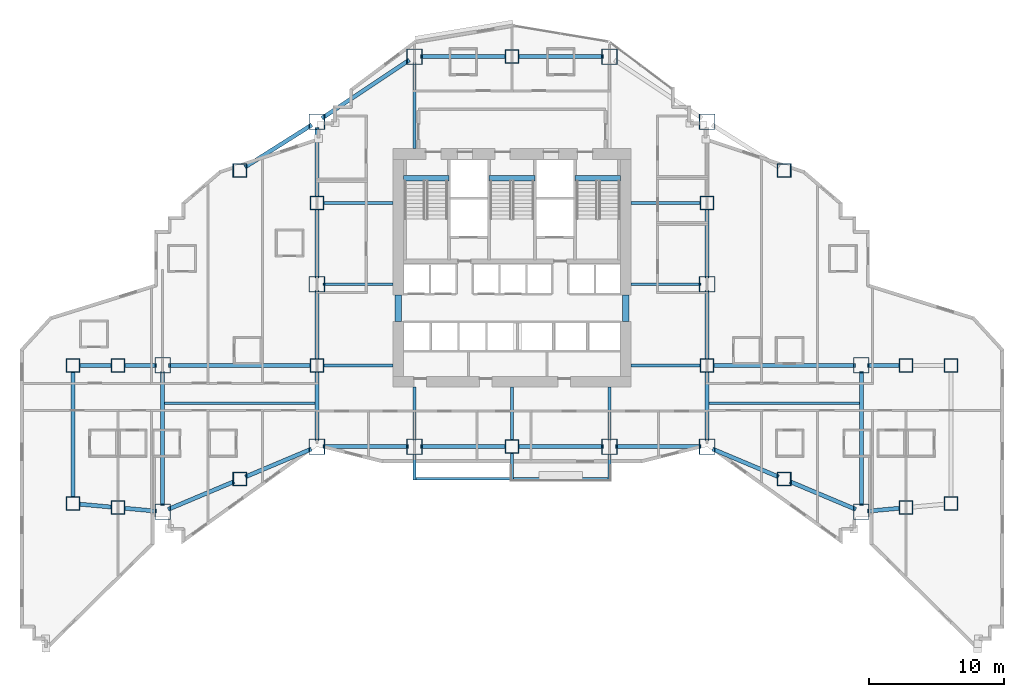
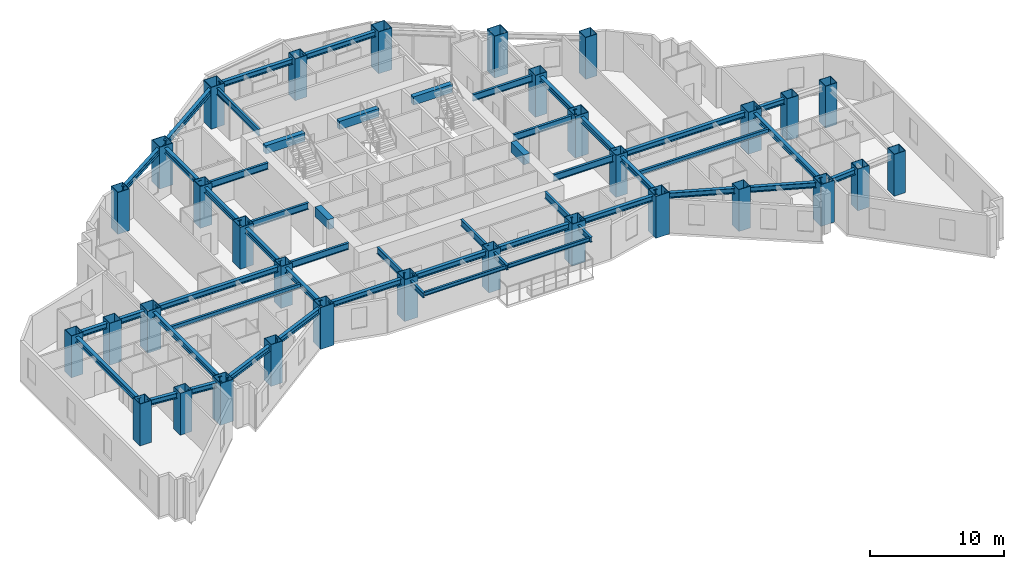
# One storey, part 1 of 16: 52 beams, 32 columns.
"""IFC4 building model written with IfcOpenShell, lengths in metres."""

from ifc_helpers import new_model, si_unit, direction, frame, origin, origin_2d, place, context, subcontext, project, spatial, rectangle, hollow_rectangle, i_section, extrude, material, material_profile, profile_set, type_object, element, save


model = new_model("IFC4")

# Units and contexts
model_context = context("Model", 3, precision=1e-05, world=origin(), true_north=direction((0.0, 1.0)))
body_context = subcontext(model_context, "Body", "Model", "MODEL_VIEW")
ifc_project = project(units=[si_unit("LENGTHUNIT", "METRE"), si_unit("AREAUNIT", "SQUARE_METRE"), si_unit("VOLUMEUNIT", "CUBIC_METRE"), si_unit("PLANEANGLEUNIT", "RADIAN"), si_unit("MASSUNIT", "GRAM", prefix="KILO")], contexts=[model_context])

# Site, building, storey
site_placement = place(None, origin())
site = spatial("IfcSite", under=ifc_project, at=site_placement, CompositionType="ELEMENT")
building_placement = place(site_placement, origin())
building = spatial("IfcBuilding", under=site, at=building_placement, Name="Haolan Belvedere Tower", CompositionType="ELEMENT")
storey_placement = place(building_placement, frame((0.0, 0.0, 47.60009765625)))
storey = spatial("IfcBuildingStorey", under=building, at=storey_placement, Name="L11", CompositionType="ELEMENT", Elevation=47.60009765625)

# Columns
ifc_material_1 = material(Name="Steel Q420GJC", Category="steel")
ifc_material_profile_1 = material_profile(ifc_material_1, hollow_rectangle(XDim=1.0, YDim=1.0, WallThickness=0.0380859375, at=origin_2d()), Name="Steel Q420GJC")
ifc_profile_set_1 = profile_set([ifc_material_profile_1], Name="Steel Q420GJC")
column_type_1 = type_object("IfcColumnType", Name="COL-BOX1000x1000x38", PredefinedType="COLUMN", material=ifc_profile_set_1)
for number, where, z_axis, x_axis, name in (
    (1, (6.0, 17.39990234375, 0.0), (0.0, 0.0, 1.0), (1.0, 0.0, 0.0), "L11 column MC-T1-SW (BOX1000x1000x38)"),
    (2, (6.0, 27.60009765625, 0.0), (0.0, 0.0, 1.0), (1.0, 0.0, 0.0), "L11 column MC-T1-NW (BOX1000x1000x38)"),
    (3, (70.800048828125, 17.39990234375, 0.0), (0.0, 0.0, 1.0), (1.0, 0.0, 0.0), "L11 column MC-T5-SE (BOX1000x1000x38)"),
    (4, (70.800048828125, 27.60009765625, 0.0), (0.0, 0.0, 1.0), (1.0, 0.0, 0.0), "L11 column MC-T5-NE (BOX1000x1000x38)"),
    (5, (24.0, 27.60009765625, 0.0), (0.0, 0.0, 1.0), (1.0, 0.0, 0.0), "L11 column TC-T3-W1 (BOX1000x1000x38)"),
    (6, (24.0, 39.60009765625, 0.0), (0.0, 0.0, 1.0), (1.0, 0.0, 0.0), "L11 column TC-T3-W2 (BOX1000x1000x38)"),
    (7, (52.800048828125, 27.60009765625, 0.0), (0.0, 0.0, 1.0), (1.0, 0.0, 0.0), "L11 column TC-T3-E1 (BOX1000x1000x38)"),
    (8, (52.800048828125, 39.60009765625, 0.0), (0.0, 0.0, 1.0), (1.0, 0.0, 0.0), "L11 column TC-T3-E2 (BOX1000x1000x38)"),
    (9, (38.39990234375, 21.60009765625, 0.0), (0.0, 0.0, 1.0), (1.0, 0.0, 0.0), "L11 column TC-T3-SM (BOX1000x1000x38)"),
    (10, (38.39990234375, 50.39990234375, 0.0), (0.0, 0.0, 1.0), (1.0, 0.0, 0.0), "L11 column TC-T3-NM (BOX1000x1000x38)"),
    (11, (18.300048828125, 19.199951171875, 0.0), (0.0, 0.0, 1.0), (1.0, 0.0, 0.0), "L11 column TC-T2-S1 (BOX1000x1000x38)"),
    (12, (18.300048828125, 42.0, 0.0), (0.0, 0.0, 1.0), (1.0, 0.0, 0.0), "L11 column TC-T2-N1 (BOX1000x1000x38)"),
    (13, (58.5, 19.199951171875, 0.0), (0.0, 0.0, 1.0), (1.0, 0.0, 0.0), "L11 column TC-T4-S1 (BOX1000x1000x38)"),
    (14, (58.5, 42.0, 0.0), (0.0, 0.0, 1.0), (1.0, 0.0, 0.0), "L11 column TC-T4-N1 (BOX1000x1000x38)"),
    (15, (9.300048828125, 17.10009765625, 0.0), (0.0, 0.0, 1.0), (1.0, 0.0, 0.0), "L11 column TC-T1-M1 (BOX1000x1000x38)"),
    (16, (9.300048828125, 27.60009765625, 0.0), (0.0, 0.0, 1.0), (1.0, 0.0, 0.0), "L11 column TC-T1-M2 (BOX1000x1000x38)"),
    (17, (67.5, 17.10009765625, 0.0), (0.0, 0.0, 1.0), (1.0, 0.0, 0.0), "L11 column TC-T5-M1 (BOX1000x1000x38)"),
    (18, (67.5, 27.60009765625, 0.0), (0.0, 0.0, 1.0), (1.0, 0.0, 0.0), "L11 column TC-T5-M2 (BOX1000x1000x38)"),
):
    element("IfcColumn", number, at=place(storey_placement, frame(where, z_axis=z_axis, x_axis=x_axis)), inside=storey, type_object=column_type_1, Name=name, PredefinedType="COLUMN", context=body_context, shape_type="SweptSolid", body=[
        extrude(hollow_rectangle(XDim=1.0, YDim=1.0, WallThickness=0.0380859375, at=origin_2d()), origin(), (0.0, 0.0, 1.0), 3.7998046875),
    ])
ifc_material_2 = material(Name="Steel Q355B", Category="steel")
ifc_material_profile_2 = material_profile(ifc_material_2, hollow_rectangle(XDim=1.14990234375, YDim=1.14990234375, WallThickness=0.0419921875, at=origin_2d()), Name="Steel Q355B")
ifc_profile_set_2 = profile_set([ifc_material_profile_2], Name="Steel Q355B")
column_type_2 = type_object("IfcColumnType", Name="COL-BOX1150x1150x42", PredefinedType="COLUMN", material=ifc_profile_set_2)
for number, where, z_axis, x_axis, name in (
    (19, (24.0, 21.60009765625, 0.0), (0.0, 0.0, 1.0), (1.0, 0.0, 0.0), "L11 column MC-T3-SW (BOX1150x1150x42)"),
    (20, (24.0, 33.60009765625, 0.0), (0.0, 0.0, 1.0), (1.0, 0.0, 0.0), "L11 column MC-T3-MW (BOX1150x1150x42)"),
    (21, (24.0, 45.60009765625, 0.0), (0.0, 0.0, 1.0), (1.0, 0.0, 0.0), "L11 column MC-T3-NW (BOX1150x1150x42)"),
    (22, (52.800048828125, 21.60009765625, 0.0), (0.0, 0.0, 1.0), (1.0, 0.0, 0.0), "L11 column MC-T3-SE (BOX1150x1150x42)"),
    (23, (52.800048828125, 33.60009765625, 0.0), (0.0, 0.0, 1.0), (1.0, 0.0, 0.0), "L11 column MC-T3-ME (BOX1150x1150x42)"),
    (24, (52.800048828125, 45.60009765625, 0.0), (0.0, 0.0, 1.0), (1.0, 0.0, 0.0), "L11 column MC-T3-NE (BOX1150x1150x42)"),
    (25, (31.199951171875, 21.60009765625, 0.0), (0.0, 0.0, 1.0), (1.0, 0.0, 0.0), "L11 column MC-T3-S1 (BOX1150x1150x42)"),
    (26, (45.60009765625, 21.60009765625, 0.0), (0.0, 0.0, 1.0), (1.0, 0.0, 0.0), "L11 column MC-T3-S2 (BOX1150x1150x42)"),
    (27, (31.199951171875, 50.39990234375, 0.0), (0.0, 0.0, 1.0), (1.0, 0.0, 0.0), "L11 column MC-T3-N1 (BOX1150x1150x42)"),
    (28, (45.60009765625, 50.39990234375, 0.0), (0.0, 0.0, 1.0), (1.0, 0.0, 0.0), "L11 column MC-T3-N2 (BOX1150x1150x42)"),
    (29, (12.60009765625, 16.800048828125, 0.0), (0.0, 0.0, 1.0), (1.0, 0.0, 0.0), "L11 column MC-T2-SW (BOX1150x1150x42)"),
    (30, (12.60009765625, 27.60009765625, 0.0), (0.0, 0.0, 1.0), (1.0, 0.0, 0.0), "L11 column MC-T2-MW (BOX1150x1150x42)"),
    (31, (64.199951171875, 16.800048828125, 0.0), (0.0, 0.0, 1.0), (1.0, 0.0, 0.0), "L11 column MC-T4-SE (BOX1150x1150x42)"),
    (32, (64.199951171875, 27.60009765625, 0.0), (0.0, 0.0, 1.0), (1.0, 0.0, 0.0), "L11 column MC-T4-ME (BOX1150x1150x42)"),
):
    element("IfcColumn", number, at=place(storey_placement, frame(where, z_axis=z_axis, x_axis=x_axis)), inside=storey, type_object=column_type_2, Name=name, PredefinedType="COLUMN", context=body_context, shape_type="SweptSolid", body=[
        extrude(hollow_rectangle(XDim=1.14990234375, YDim=1.14990234375, WallThickness=0.0419921875, at=origin_2d()), origin(), (0.0, 0.0, 1.0), 3.7998046875),
    ])

# Beams
ifc_material_profile_3 = material_profile(ifc_material_2, i_section(OverallWidth=0.300048828125, OverallDepth=0.488037109375, WebThickness=0.010986328125, FlangeThickness=0.01806640625, FilletRadius=0.02587890625, at=origin_2d()), Name="Steel Q355B")
ifc_profile_set_3 = profile_set([ifc_material_profile_3], Name="Steel Q355B")
beam_type_1 = type_object("IfcBeamType", Name="BM-HM488x300x11x18", PredefinedType="SPANDREL", material=ifc_profile_set_3)
for number, where, z_axis, x_axis, name in (
    (33, (24.0, 22.050048828125, 3.35595703125), (0.0, 1.0, 0.0), (-1.0, 0.0, 0.0), "L11 spandrel girder MC-T3-SW-TC-T3-W1"),
    (34, (24.0, 28.050048828125, 3.35595703125), (0.0, 1.0, 0.0), (-1.0, 0.0, 0.0), "L11 spandrel girder TC-T3-W1-MC-T3-MW"),
    (35, (24.0, 34.050048828125, 3.35595703125), (0.0, 1.0, 0.0), (-1.0, 0.0, 0.0), "L11 spandrel girder MC-T3-MW-TC-T3-W2"),
    (36, (24.0, 40.050048828125, 3.35595703125), (0.0, 1.0, 0.0), (-1.0, 0.0, 0.0), "L11 spandrel girder TC-T3-W2-MC-T3-NW"),
    (37, (52.800048828125, 22.050048828125, 3.35595703125), (0.0, 1.0, 0.0), (-1.0, 0.0, 0.0), "L11 spandrel girder MC-T3-SE-TC-T3-E1"),
    (38, (52.800048828125, 28.050048828125, 3.35595703125), (0.0, 1.0, 0.0), (-1.0, 0.0, 0.0), "L11 spandrel girder TC-T3-E1-MC-T3-ME"),
    (39, (52.800048828125, 34.050048828125, 3.35595703125), (0.0, 1.0, 0.0), (-1.0, 0.0, 0.0), "L11 spandrel girder MC-T3-ME-TC-T3-E2"),
):
    element("IfcBeam", number, at=place(storey_placement, frame(where, z_axis=z_axis, x_axis=x_axis)), inside=storey, type_object=beam_type_1, Name=name, PredefinedType="SPANDREL", context=body_context, shape_type="SweptSolid", body=[
        extrude(i_section(OverallWidth=0.300048828125, OverallDepth=0.488037109375, WebThickness=0.010986328125, FlangeThickness=0.01806640625, FilletRadius=0.02587890625, at=origin_2d()), origin(), (0.0, 0.0, 1.0), 5.099853515625),
    ])
for number, where, z_axis, x_axis, name in (
    (40, (24.449951171875, 21.60009765625, 3.35595703125), (1.0, 0.0, 0.0), (0.0, 1.0, 0.0), "L11 spandrel girder MC-T3-SW-MC-T3-S1"),
    (41, (31.64990234375, 21.60009765625, 3.35595703125), (1.0, 0.0, 0.0), (0.0, 1.0, 0.0), "L11 spandrel girder MC-T3-S1-TC-T3-SM"),
):
    element("IfcBeam", number, at=place(storey_placement, frame(where, z_axis=z_axis, x_axis=x_axis)), inside=storey, type_object=beam_type_1, Name=name, PredefinedType="SPANDREL", context=body_context, shape_type="SweptSolid", body=[
        extrude(i_section(OverallWidth=0.300048828125, OverallDepth=0.488037109375, WebThickness=0.010986328125, FlangeThickness=0.01806640625, FilletRadius=0.02587890625, at=origin_2d()), origin(), (0.0, 0.0, 1.0), 6.300048828125),
    ])
beam_1_placement = place(storey_placement, frame((38.85009765625, 21.60009765625, 3.35595703125), z_axis=(1.0, 0.0, 0.0), x_axis=(0.0, 1.0, 0.0)))
element("IfcBeam", 42, at=beam_1_placement, inside=storey, type_object=beam_type_1, Name="L11 spandrel girder TC-T3-SM-MC-T3-S2", PredefinedType="SPANDREL", context=body_context, shape_type="SweptSolid", body=[
    extrude(i_section(OverallWidth=0.300048828125, OverallDepth=0.488037109375, WebThickness=0.010986328125, FlangeThickness=0.01806640625, FilletRadius=0.02587890625, at=origin_2d()), origin(), (0.0, 0.0, 1.0), 6.2998046875),
])
beam_2_placement = place(storey_placement, frame((46.050048828125, 21.60009765625, 3.35595703125), z_axis=(1.0, 0.0, 0.0), x_axis=(0.0, 1.0, 0.0)))
element("IfcBeam", 43, at=beam_2_placement, inside=storey, type_object=beam_type_1, Name="L11 spandrel girder MC-T3-S2-MC-T3-SE", PredefinedType="SPANDREL", context=body_context, shape_type="SweptSolid", body=[
    extrude(i_section(OverallWidth=0.300048828125, OverallDepth=0.488037109375, WebThickness=0.010986328125, FlangeThickness=0.01806640625, FilletRadius=0.02587890625, at=origin_2d()), origin(), (0.0, 0.0, 1.0), 6.300048828125),
])
beam_3_placement = place(storey_placement, frame((24.37451171875, 45.849609375, 3.35595703125), z_axis=(0.832050294338, 0.554700196225, 0.0), x_axis=(-0.554700196225, 0.832050294338, 0.0)))
element("IfcBeam", 44, at=beam_3_placement, inside=storey, type_object=beam_type_1, Name="L11 spandrel girder MC-T3-NW-MC-T3-N1", PredefinedType="SPANDREL", context=body_context, shape_type="SweptSolid", body=[
    extrude(i_section(OverallWidth=0.300048828125, OverallDepth=0.488037109375, WebThickness=0.010986328125, FlangeThickness=0.01806640625, FilletRadius=0.02587890625, at=origin_2d()), origin(), (0.0, 0.0, 1.0), 7.75341796875),
])
beam_4_placement = place(storey_placement, frame((31.64990234375, 50.39990234375, 3.35595703125), z_axis=(1.0, 0.0, 0.0), x_axis=(0.0, 1.0, 0.0)))
element("IfcBeam", 45, at=beam_4_placement, inside=storey, type_object=beam_type_1, Name="L11 spandrel girder MC-T3-N1-TC-T3-NM", PredefinedType="SPANDREL", context=body_context, shape_type="SweptSolid", body=[
    extrude(i_section(OverallWidth=0.300048828125, OverallDepth=0.488037109375, WebThickness=0.010986328125, FlangeThickness=0.01806640625, FilletRadius=0.02587890625, at=origin_2d()), origin(), (0.0, 0.0, 1.0), 6.300048828125),
])
beam_5_placement = place(storey_placement, frame((38.85009765625, 50.39990234375, 3.35595703125), z_axis=(1.0, 0.0, 0.0), x_axis=(0.0, 1.0, 0.0)))
element("IfcBeam", 46, at=beam_5_placement, inside=storey, type_object=beam_type_1, Name="L11 spandrel girder TC-T3-NM-MC-T3-N2", PredefinedType="SPANDREL", context=body_context, shape_type="SweptSolid", body=[
    extrude(i_section(OverallWidth=0.300048828125, OverallDepth=0.488037109375, WebThickness=0.010986328125, FlangeThickness=0.01806640625, FilletRadius=0.02587890625, at=origin_2d()), origin(), (0.0, 0.0, 1.0), 6.2998046875),
])
beam_6_placement = place(storey_placement, frame((12.60009765625, 17.25, 3.35595703125), z_axis=(0.0, 1.0, 0.0), x_axis=(-1.0, 0.0, 0.0)))
element("IfcBeam", 47, at=beam_6_placement, inside=storey, type_object=beam_type_1, Name="L11 spandrel girder MC-T2-SW-MC-T2-MW", PredefinedType="SPANDREL", context=body_context, shape_type="SweptSolid", body=[
    extrude(i_section(OverallWidth=0.300048828125, OverallDepth=0.488037109375, WebThickness=0.010986328125, FlangeThickness=0.01806640625, FilletRadius=0.02587890625, at=origin_2d()), origin(), (0.0, 0.0, 1.0), 9.89990234375),
])
beam_7_placement = place(storey_placement, frame((13.0146484375, 16.974609375, 3.35595703125), z_axis=(0.921635375138, 0.388057000058, 0.0), x_axis=(-0.388057000058, 0.921635375138, 0.0)))
element("IfcBeam", 48, at=beam_7_placement, inside=storey, type_object=beam_type_1, Name="L11 spandrel girder MC-T2-SW-TC-T2-S1", PredefinedType="SPANDREL", context=body_context, shape_type="SweptSolid", body=[
    extrude(i_section(OverallWidth=0.300048828125, OverallDepth=0.488037109375, WebThickness=0.010986328125, FlangeThickness=0.01806640625, FilletRadius=0.02587890625, at=origin_2d()), origin(), (0.0, 0.0, 1.0), 5.28466796875),
])
beam_8_placement = place(storey_placement, frame((18.71484375, 19.37451171875, 3.35595703125), z_axis=(0.92162841793, 0.388073523014, 0.0), x_axis=(-0.388073523014, 0.92162841793, 0.0)))
element("IfcBeam", 49, at=beam_8_placement, inside=storey, type_object=beam_type_1, Name="L11 spandrel girder TC-T2-S1-MC-T3-SW", PredefinedType="SPANDREL", context=body_context, shape_type="SweptSolid", body=[
    extrude(i_section(OverallWidth=0.300048828125, OverallDepth=0.488037109375, WebThickness=0.010986328125, FlangeThickness=0.01806640625, FilletRadius=0.02587890625, at=origin_2d()), origin(), (0.0, 0.0, 1.0), 5.284423828125),
])
beam_9_placement = place(storey_placement, frame((18.680419921875, 42.240234375, 3.35595703125), z_axis=(0.845497840649, 0.533978839898, 0.0), x_axis=(-0.533978839898, 0.845497840649, 0.0)))
element("IfcBeam", 50, at=beam_9_placement, inside=storey, type_object=beam_type_1, Name="L11 spandrel girder TC-T2-N1-MC-T3-NW", PredefinedType="SPANDREL", context=body_context, shape_type="SweptSolid", body=[
    extrude(i_section(OverallWidth=0.300048828125, OverallDepth=0.488037109375, WebThickness=0.010986328125, FlangeThickness=0.01806640625, FilletRadius=0.02587890625, at=origin_2d()), origin(), (0.0, 0.0, 1.0), 5.841796875),
])
beam_10_placement = place(storey_placement, frame((13.050048828125, 27.60009765625, 3.35595703125), z_axis=(1.0, 0.0, 0.0), x_axis=(0.0, 1.0, 0.0)))
element("IfcBeam", 51, at=beam_10_placement, inside=storey, type_object=beam_type_1, Name="L11 spandrel girder MC-T2-MW-TC-T3-W1", PredefinedType="SPANDREL", context=body_context, shape_type="SweptSolid", body=[
    extrude(i_section(OverallWidth=0.300048828125, OverallDepth=0.488037109375, WebThickness=0.010986328125, FlangeThickness=0.01806640625, FilletRadius=0.02587890625, at=origin_2d()), origin(), (0.0, 0.0, 1.0), 10.5),
])
beam_11_placement = place(storey_placement, frame((64.199951171875, 17.25, 3.35595703125), z_axis=(0.0, 1.0, 0.0), x_axis=(-1.0, 0.0, 0.0)))
element("IfcBeam", 52, at=beam_11_placement, inside=storey, type_object=beam_type_1, Name="L11 spandrel girder MC-T4-SE-MC-T4-ME", PredefinedType="SPANDREL", context=body_context, shape_type="SweptSolid", body=[
    extrude(i_section(OverallWidth=0.300048828125, OverallDepth=0.488037109375, WebThickness=0.010986328125, FlangeThickness=0.01806640625, FilletRadius=0.02587890625, at=origin_2d()), origin(), (0.0, 0.0, 1.0), 9.89990234375),
])
for number, where, z_axis, x_axis, name in (
    (53, (53.21484375, 21.42529296875, 3.35595703125), (0.92162841793, -0.388073523014, 0.0), (0.388073523014, 0.92162841793, 0.0), "L11 spandrel girder MC-T3-SE-TC-T4-S1"),
    (54, (58.914794921875, 19.025390625, 3.35595703125), (0.92162841793, -0.388073523014, 0.0), (0.388073523014, 0.92162841793, 0.0), "L11 spandrel girder TC-T4-S1-MC-T4-SE"),
):
    element("IfcBeam", number, at=place(storey_placement, frame(where, z_axis=z_axis, x_axis=x_axis)), inside=storey, type_object=beam_type_1, Name=name, PredefinedType="SPANDREL", context=body_context, shape_type="SweptSolid", body=[
        extrude(i_section(OverallWidth=0.300048828125, OverallDepth=0.488037109375, WebThickness=0.010986328125, FlangeThickness=0.01806640625, FilletRadius=0.02587890625, at=origin_2d()), origin(), (0.0, 0.0, 1.0), 5.284423828125),
    ])
beam_12_placement = place(storey_placement, frame((53.25, 27.60009765625, 3.35595703125), z_axis=(1.0, 0.0, 0.0), x_axis=(0.0, 1.0, 0.0)))
element("IfcBeam", 55, at=beam_12_placement, inside=storey, type_object=beam_type_1, Name="L11 spandrel girder TC-T3-E1-MC-T4-ME", PredefinedType="SPANDREL", context=body_context, shape_type="SweptSolid", body=[
    extrude(i_section(OverallWidth=0.300048828125, OverallDepth=0.488037109375, WebThickness=0.010986328125, FlangeThickness=0.01806640625, FilletRadius=0.02587890625, at=origin_2d()), origin(), (0.0, 0.0, 1.0), 10.5),
])
beam_13_placement = place(storey_placement, frame((6.0, 17.85009765625, 3.35595703125), z_axis=(0.0, 1.0, 0.0), x_axis=(-1.0, 0.0, 0.0)))
element("IfcBeam", 56, at=beam_13_placement, inside=storey, type_object=beam_type_1, Name="L11 spandrel girder MC-T1-SW-MC-T1-NW", PredefinedType="SPANDREL", context=body_context, shape_type="SweptSolid", body=[
    extrude(i_section(OverallWidth=0.300048828125, OverallDepth=0.488037109375, WebThickness=0.010986328125, FlangeThickness=0.01806640625, FilletRadius=0.02587890625, at=origin_2d()), origin(), (0.0, 0.0, 1.0), 9.2998046875),
])
beam_14_placement = place(storey_placement, frame((6.4482421875, 17.359375, 3.35595703125), z_axis=(0.995884080761, -0.090636072764, 0.0), x_axis=(0.090636072764, 0.995884080761, 0.0)))
element("IfcBeam", 57, at=beam_14_placement, inside=storey, type_object=beam_type_1, Name="L11 spandrel girder MC-T1-SW-TC-T1-M1", PredefinedType="SPANDREL", context=body_context, shape_type="SweptSolid", body=[
    extrude(i_section(OverallWidth=0.300048828125, OverallDepth=0.488037109375, WebThickness=0.010986328125, FlangeThickness=0.01806640625, FilletRadius=0.02587890625, at=origin_2d()), origin(), (0.0, 0.0, 1.0), 2.41357421875),
])
beam_15_placement = place(storey_placement, frame((9.748046875, 17.059326171875, 3.35595703125), z_axis=(0.9958940355, -0.090526626221, 0.0), x_axis=(0.090526626221, 0.9958940355, 0.0)))
element("IfcBeam", 58, at=beam_15_placement, inside=storey, type_object=beam_type_1, Name="L11 spandrel girder TC-T1-M1-MC-T2-SW", PredefinedType="SPANDREL", context=body_context, shape_type="SweptSolid", body=[
    extrude(i_section(OverallWidth=0.300048828125, OverallDepth=0.488037109375, WebThickness=0.010986328125, FlangeThickness=0.01806640625, FilletRadius=0.02587890625, at=origin_2d()), origin(), (0.0, 0.0, 1.0), 2.413818359375),
])
beam_16_placement = place(storey_placement, frame((6.449951171875, 27.60009765625, 3.35595703125), z_axis=(1.0, 0.0, 0.0), x_axis=(0.0, 1.0, 0.0)))
element("IfcBeam", 59, at=beam_16_placement, inside=storey, type_object=beam_type_1, Name="L11 spandrel girder MC-T1-NW-TC-T1-M2", PredefinedType="SPANDREL", context=body_context, shape_type="SweptSolid", body=[
    extrude(i_section(OverallWidth=0.300048828125, OverallDepth=0.488037109375, WebThickness=0.010986328125, FlangeThickness=0.01806640625, FilletRadius=0.02587890625, at=origin_2d()), origin(), (0.0, 0.0, 1.0), 2.400146484375),
])
beam_17_placement = place(storey_placement, frame((9.75, 27.60009765625, 3.35595703125), z_axis=(1.0, 0.0, 0.0), x_axis=(0.0, 1.0, 0.0)))
element("IfcBeam", 60, at=beam_17_placement, inside=storey, type_object=beam_type_1, Name="L11 spandrel girder TC-T1-M2-MC-T2-MW", PredefinedType="SPANDREL", context=body_context, shape_type="SweptSolid", body=[
    extrude(i_section(OverallWidth=0.300048828125, OverallDepth=0.488037109375, WebThickness=0.010986328125, FlangeThickness=0.01806640625, FilletRadius=0.02587890625, at=origin_2d()), origin(), (0.0, 0.0, 1.0), 2.39990234375),
])
beam_18_placement = place(storey_placement, frame((64.648193359375, 16.8408203125, 3.35595703125), z_axis=(0.995893206468, 0.090535746043, 0.0), x_axis=(-0.090535746043, 0.995893206468, 0.0)))
element("IfcBeam", 61, at=beam_18_placement, inside=storey, type_object=beam_type_1, Name="L11 spandrel girder MC-T4-SE-TC-T5-M1", PredefinedType="SPANDREL", context=body_context, shape_type="SweptSolid", body=[
    extrude(i_section(OverallWidth=0.300048828125, OverallDepth=0.488037109375, WebThickness=0.010986328125, FlangeThickness=0.01806640625, FilletRadius=0.02587890625, at=origin_2d()), origin(), (0.0, 0.0, 1.0), 2.41357421875),
])
beam_19_placement = place(storey_placement, frame((64.64990234375, 27.60009765625, 3.35595703125), z_axis=(1.0, 0.0, 0.0), x_axis=(0.0, 1.0, 0.0)))
element("IfcBeam", 62, at=beam_19_placement, inside=storey, type_object=beam_type_1, Name="L11 spandrel girder MC-T4-ME-TC-T5-M2", PredefinedType="SPANDREL", context=body_context, shape_type="SweptSolid", body=[
    extrude(i_section(OverallWidth=0.300048828125, OverallDepth=0.488037109375, WebThickness=0.010986328125, FlangeThickness=0.01806640625, FilletRadius=0.02587890625, at=origin_2d()), origin(), (0.0, 0.0, 1.0), 2.400146484375),
])
ifc_material_profile_4 = material_profile(ifc_material_2, i_section(OverallWidth=0.175048828125, OverallDepth=0.35009765625, WebThickness=0.007080078125, FlangeThickness=0.010986328125, FilletRadius=0.012939453125, at=origin_2d()), Name="Steel Q355B")
ifc_profile_set_4 = profile_set([ifc_material_profile_4], Name="Steel Q355B")
beam_type_2 = type_object("IfcBeamType", Name="BM-HN350x175x7x11", PredefinedType="JOIST", material=ifc_profile_set_4)
for number, where, z_axis, x_axis, name in (
    (63, (31.300048828125, 19.239990234375, 3.39501953125), (1.0, 0.0, 0.0), (0.0, 1.0, 0.0), "L12 tree-balcony front trimmer beam 1"),
    (64, (38.5, 19.239990234375, 3.39501953125), (1.0, 0.0, 0.0), (0.0, 1.0, 0.0), "L12 tree-balcony front trimmer beam 2"),
):
    element("IfcBeam", number, at=place(storey_placement, frame(where, z_axis=z_axis, x_axis=x_axis)), inside=storey, type_object=beam_type_2, Name=name, PredefinedType="BEAM", context=body_context, shape_type="SweptSolid", body=[
        extrude(i_section(OverallWidth=0.175048828125, OverallDepth=0.35009765625, WebThickness=0.007080078125, FlangeThickness=0.010986328125, FilletRadius=0.012939453125, at=origin_2d()), origin(), (0.0, 0.0, 1.0), 7.0),
    ])
ifc_material_profile_5 = material_profile(ifc_material_2, i_section(OverallWidth=0.199951171875, OverallDepth=0.39990234375, WebThickness=0.008056640625, FlangeThickness=0.012939453125, FilletRadius=0.01611328125, at=origin_2d()), Name="Steel Q355B")
ifc_profile_set_5 = profile_set([ifc_material_profile_5], Name="Steel Q355B")
beam_type_3 = type_object("IfcBeamType", Name="BM-HN400x200x8x13", PredefinedType="JOIST", material=ifc_profile_set_5)
for number, where, z_axis, x_axis, name in (
    (65, (12.75, 24.800048828125, 3.39990234375), (1.0, 0.0, 0.0), (0.0, 1.0, 0.0), "L11 west wing floor joist 1"),
    (66, (52.949951171875, 24.800048828125, 3.39990234375), (1.0, 0.0, 0.0), (0.0, 1.0, 0.0), "L11 east wing floor joist 1"),
):
    element("IfcBeam", number, at=place(storey_placement, frame(where, z_axis=z_axis, x_axis=x_axis)), inside=storey, type_object=beam_type_3, Name=name, PredefinedType="JOIST", context=body_context, shape_type="SweptSolid", body=[
        extrude(i_section(OverallWidth=0.199951171875, OverallDepth=0.39990234375, WebThickness=0.008056640625, FlangeThickness=0.012939453125, FilletRadius=0.01611328125, at=origin_2d()), origin(), (0.0, 0.0, 1.0), 11.10009765625),
    ])
ifc_material_profile_6 = material_profile(ifc_material_2, i_section(OverallWidth=0.199951171875, OverallDepth=0.449951171875, WebThickness=0.009033203125, FlangeThickness=0.013916015625, FilletRadius=0.01611328125, at=origin_2d()), Name="Steel Q355B")
ifc_profile_set_6 = profile_set([ifc_material_profile_6], Name="Steel Q355B")
beam_type_4 = type_object("IfcBeamType", Name="BM-HN450x200x9x14", PredefinedType="BEAM", material=ifc_profile_set_6)
beam_20_placement = place(storey_placement, frame((31.199951171875, 21.02490234375, 3.344970703125), z_axis=(0.0, -1.0, 0.0), x_axis=(1.0, 0.0, 0.0)))
element("IfcBeam", 67, at=beam_20_placement, inside=storey, type_object=beam_type_4, Name="L12 tree-balcony column cantilever MC-T3-S1", PredefinedType="BEAM", context=body_context, shape_type="SweptSolid", body=[
    extrude(i_section(OverallWidth=0.199951171875, OverallDepth=0.449951171875, WebThickness=0.009033203125, FlangeThickness=0.013916015625, FilletRadius=0.01611328125, at=origin_2d()), origin(), (0.0, 0.0, 1.0), 1.885009765625),
])
beam_21_placement = place(storey_placement, frame((38.39990234375, 21.10009765625, 3.344970703125), z_axis=(0.0, -1.0, 0.0), x_axis=(1.0, 0.0, 0.0)))
element("IfcBeam", 68, at=beam_21_placement, inside=storey, type_object=beam_type_4, Name="L12 tree-balcony column cantilever TC-T3-SM", PredefinedType="BEAM", context=body_context, shape_type="SweptSolid", body=[
    extrude(i_section(OverallWidth=0.199951171875, OverallDepth=0.449951171875, WebThickness=0.009033203125, FlangeThickness=0.013916015625, FilletRadius=0.01611328125, at=origin_2d()), origin(), (0.0, 0.0, 1.0), 1.960205078125),
])
beam_22_placement = place(storey_placement, frame((45.60009765625, 21.02490234375, 3.344970703125), z_axis=(0.0, -1.0, 0.0), x_axis=(1.0, 0.0, 0.0)))
element("IfcBeam", 69, at=beam_22_placement, inside=storey, type_object=beam_type_4, Name="L12 tree-balcony column cantilever MC-T3-S2", PredefinedType="BEAM", context=body_context, shape_type="SweptSolid", body=[
    extrude(i_section(OverallWidth=0.199951171875, OverallDepth=0.449951171875, WebThickness=0.009033203125, FlangeThickness=0.013916015625, FilletRadius=0.01611328125, at=origin_2d()), origin(), (0.0, 0.0, 1.0), 1.885009765625),
])
ifc_material_profile_7 = material_profile(ifc_material_2, i_section(OverallWidth=0.199951171875, OverallDepth=0.60009765625, WebThickness=0.010986328125, FlangeThickness=0.01708984375, FilletRadius=0.02197265625, at=origin_2d()), Name="Steel Q355B")
ifc_profile_set_7 = profile_set([ifc_material_profile_7], Name="Steel Q355B")
beam_type_5 = type_object("IfcBeamType", Name="BM-HN600x200x11x17", PredefinedType="BEAM", material=ifc_profile_set_7)
for number, where, z_axis, x_axis, name in (
    (70, (24.449951171875, 33.60009765625, 3.2998046875), (1.0, 0.0, 0.0), (0.0, 1.0, 0.0), "L11 core tie beam from MC-T3-MW"),
    (71, (24.449951171875, 27.60009765625, 3.2998046875), (1.0, 0.0, 0.0), (0.0, 1.0, 0.0), "L11 core tie beam from TC-T3-W1"),
    (72, (24.449951171875, 39.60009765625, 3.2998046875), (1.0, 0.0, 0.0), (0.0, 1.0, 0.0), "L11 core tie beam from TC-T3-W2"),
    (73, (52.35009765625, 33.60009765625, 3.2998046875), (-1.0, 0.0, 0.0), (0.0, -1.0, 0.0), "L11 core tie beam from MC-T3-ME"),
    (74, (52.35009765625, 27.60009765625, 3.2998046875), (-1.0, 0.0, 0.0), (0.0, -1.0, 0.0), "L11 core tie beam from TC-T3-E1"),
    (75, (52.35009765625, 39.60009765625, 3.2998046875), (-1.0, 0.0, 0.0), (0.0, -1.0, 0.0), "L11 core tie beam from TC-T3-E2"),
):
    element("IfcBeam", number, at=place(storey_placement, frame(where, z_axis=z_axis, x_axis=x_axis)), inside=storey, type_object=beam_type_5, Name=name, PredefinedType="BEAM", context=body_context, shape_type="SweptSolid", body=[
        extrude(i_section(OverallWidth=0.199951171875, OverallDepth=0.60009765625, WebThickness=0.010986328125, FlangeThickness=0.01708984375, FilletRadius=0.02197265625, at=origin_2d()), origin(), (0.0, 0.0, 1.0), 5.150146484375),
    ])
for number, where, z_axis, x_axis, name in (
    (76, (31.199951171875, 22.050048828125, 3.2998046875), (0.0, 1.0, 0.0), (-1.0, 0.0, 0.0), "L11 core tie beam from MC-T3-S1"),
    (77, (38.39990234375, 22.050048828125, 3.2998046875), (0.0, 1.0, 0.0), (-1.0, 0.0, 0.0), "L11 core tie beam from TC-T3-SM"),
    (78, (45.60009765625, 22.050048828125, 3.2998046875), (0.0, 1.0, 0.0), (-1.0, 0.0, 0.0), "L11 core tie beam from MC-T3-S2"),
):
    element("IfcBeam", number, at=place(storey_placement, frame(where, z_axis=z_axis, x_axis=x_axis)), inside=storey, type_object=beam_type_5, Name=name, PredefinedType="BEAM", context=body_context, shape_type="SweptSolid", body=[
        extrude(i_section(OverallWidth=0.199951171875, OverallDepth=0.60009765625, WebThickness=0.010986328125, FlangeThickness=0.01708984375, FilletRadius=0.02197265625, at=origin_2d()), origin(), (0.0, 0.0, 1.0), 3.949951171875),
    ])
beam_23_placement = place(storey_placement, frame((31.199951171875, 49.949951171875, 3.2998046875), z_axis=(0.0, -1.0, 0.0), x_axis=(1.0, 0.0, 0.0)))
element("IfcBeam", 79, at=beam_23_placement, inside=storey, type_object=beam_type_5, Name="L11 core tie beam from MC-T3-N1", PredefinedType="BEAM", context=body_context, shape_type="SweptSolid", body=[
    extrude(i_section(OverallWidth=0.199951171875, OverallDepth=0.60009765625, WebThickness=0.010986328125, FlangeThickness=0.01708984375, FilletRadius=0.02197265625, at=origin_2d()), origin(), (0.0, 0.0, 1.0), 6.349853515625),
])
ifc_material_3 = material(Name="Concrete C50/60", Category="concrete")
ifc_material_profile_8 = material_profile(ifc_material_3, rectangle(XDim=0.39990234375, YDim=0.75, at=origin_2d()), Name="Concrete C50/60")
ifc_profile_set_8 = profile_set([ifc_material_profile_8], Name="Concrete C50/60")
beam_type_6 = type_object("IfcBeamType", Name="BM-RC400x750", PredefinedType="T_BEAM", material=ifc_profile_set_8)
beam_24_placement = place(storey_placement, frame((30.3798828125, 41.429931640625, 3.4248046875), z_axis=(1.0, 0.0, 0.0), x_axis=(0.0, 1.0, 0.0)))
element("IfcBeam", 80, at=beam_24_placement, inside=storey, type_object=beam_type_6, Name="L12 stair ST1 RC header trimmer beam", PredefinedType="BEAM", context=body_context, shape_type="SweptSolid", body=[
    extrude(rectangle(XDim=0.39990234375, YDim=0.75, at=origin_2d()), origin(), (0.0, 0.0, 1.0), 3.360107421875),
])
beam_25_placement = place(storey_placement, frame((36.699951171875, 41.429931640625, 3.4248046875), z_axis=(1.0, 0.0, 0.0), x_axis=(0.0, 1.0, 0.0)))
element("IfcBeam", 81, at=beam_25_placement, inside=storey, type_object=beam_type_6, Name="L12 stair ST3 RC header trimmer beam", PredefinedType="BEAM", context=body_context, shape_type="SweptSolid", body=[
    extrude(rectangle(XDim=0.39990234375, YDim=0.75, at=origin_2d()), origin(), (0.0, 0.0, 1.0), 3.400146484375),
])
beam_26_placement = place(storey_placement, frame((43.06005859375, 41.429931640625, 3.4248046875), z_axis=(1.0, 0.0, 0.0), x_axis=(0.0, 1.0, 0.0)))
element("IfcBeam", 82, at=beam_26_placement, inside=storey, type_object=beam_type_6, Name="L12 stair ST2 RC header trimmer beam", PredefinedType="BEAM", context=body_context, shape_type="SweptSolid", body=[
    extrude(rectangle(XDim=0.39990234375, YDim=0.75, at=origin_2d()), origin(), (0.0, 0.0, 1.0), 3.35986328125),
])
ifc_material_4 = material(Name="Concrete C60/75", Category="concrete")
ifc_material_profile_9 = material_profile(ifc_material_4, rectangle(XDim=0.5, YDim=0.89990234375, at=origin_2d()), Name="Concrete C60/75")
ifc_profile_set_9 = profile_set([ifc_material_profile_9], Name="Concrete C60/75")
beam_type_7 = type_object("IfcBeamType", Name="BM-RC500x900", PredefinedType="LINTEL", material=ifc_profile_set_9)
for number, where, z_axis, x_axis, name in (
    (83, (30.0, 30.85009765625, 3.14990234375), (0.0, 1.0, 0.0), (-1.0, 0.0, 0.0), "L11 west core coupling beam CB-01"),
    (84, (46.800048828125, 30.85009765625, 3.14990234375), (0.0, 1.0, 0.0), (-1.0, 0.0, 0.0), "L11 east core coupling beam CB-01"),
):
    element("IfcBeam", number, at=place(storey_placement, frame(where, z_axis=z_axis, x_axis=x_axis)), inside=storey, type_object=beam_type_7, Name=name, PredefinedType="LINTEL", context=body_context, shape_type="SweptSolid", body=[
        extrude(rectangle(XDim=0.5, YDim=0.89990234375, at=origin_2d()), origin(), (0.0, 0.0, 1.0), 1.949951171875),
    ])

save(model, "model.ifc")
